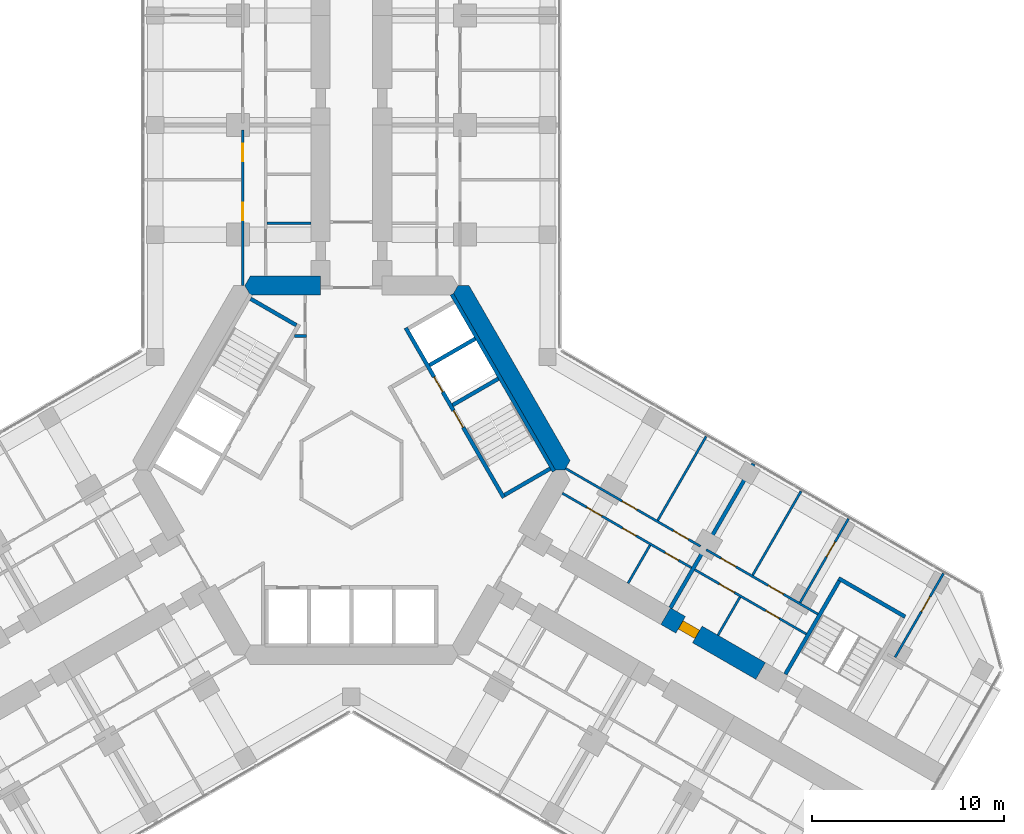
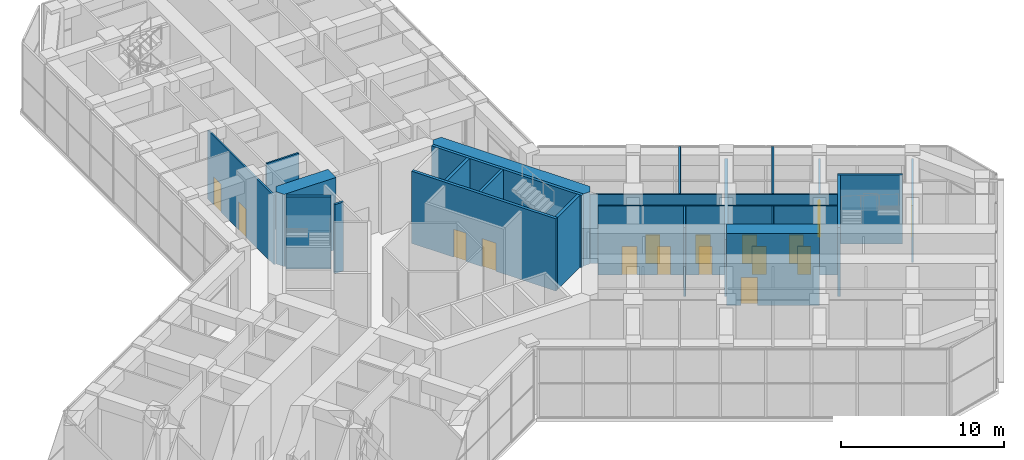
# One storey, part 18 of 23: 25 walls, 16 doors, 16 openings.
"""IFC4 building model written with IfcOpenShell, lengths in metres."""

from ifc_helpers import new_model, si_unit, direction, frame, frame_2d, origin, place, context, subcontext, project, spatial, polyline, rectangle, outline, extrude, material, layer, layer_set, type_object, element, fill, save


model = new_model("IFC4")

# Units and contexts
model_context = context("Model", 3, precision=1e-05, world=origin(), true_north=direction((0.0, 1.0)))
body_context = subcontext(model_context, "Body", "Model", "MODEL_VIEW")
ifc_project = project(units=[si_unit("LENGTHUNIT", "METRE"), si_unit("AREAUNIT", "SQUARE_METRE"), si_unit("VOLUMEUNIT", "CUBIC_METRE"), si_unit("PLANEANGLEUNIT", "RADIAN"), si_unit("MASSUNIT", "GRAM", prefix="KILO")], contexts=[model_context])

# Site, building, storey
site_placement = place(None, origin())
site = spatial("IfcSite", under=ifc_project, at=site_placement, CompositionType="ELEMENT")
building_placement = place(site_placement, origin())
building = spatial("IfcBuilding", under=site, at=building_placement, Name="Kosmar Iwan School Tower", CompositionType="ELEMENT")
storey_placement = place(building_placement, frame((0.0, 0.0, 75.39990234375)))
storey = spatial("IfcBuildingStorey", under=building, at=storey_placement, Name="L18", CompositionType="ELEMENT", Elevation=75.39990234375)

# Walls
ifc_material_1 = material(Name="Gypsum board on steel studs, fire-rated", Category="steel")
ifc_layer_1 = layer(ifc_material_1, 0.14990234375)
ifc_layer_set_1 = layer_set([ifc_layer_1], Name="Core room partition 150")
wall_type_1 = type_object("IfcWallType", Name="Core room partition 150", PredefinedType="PARTITIONING", material=ifc_layer_set_1)
wall_1_placement = place(storey_placement, frame((-2.324951171875, 6.985107421875, 0.0), z_axis=(0.0, 0.0, 1.0), x_axis=(-1.0, 0.0, 0.0)))
element("IfcWall", 1, at=wall_1_placement, inside=storey, type_object=wall_type_1, Name="Core room partition L18-CW2", PredefinedType="PARTITIONING", context=body_context, shape_type="SweptSolid", body=[
    extrude(rectangle(XDim=0.623779296875, YDim=0.14990234375, at=frame_2d((0.31201171875, 0.0))), origin(), (0.0, 0.0, 1.0), 5.150146484375),
])
ifc_material_2 = material(Name="Concrete C50/60", Category="concrete")
ifc_layer_2 = layer(ifc_material_2, 1.0)
ifc_layer_set_2 = layer_set([ifc_layer_2], Name="Core wall 1000")
wall_type_2 = type_object("IfcWallType", Name="Core wall 1000", PredefinedType="SHEAR", material=ifc_layer_set_2)
wall_2_placement = place(storey_placement, origin())
element("IfcWall", 2, at=wall_2_placement, inside=storey, type_object=wall_type_2, Name="Core wall F030", PredefinedType="SHEAR", context=body_context, shape_type="SweptSolid", body=[
    extrude(outline(polyline([(10.5078125, 0.0), (11.085205078125, 0.0), (11.373779296875, 0.5), (6.119873046875, 9.60009765625), (5.54248046875, 9.60009765625), (5.25390625, 9.10009765625), (10.5078125, 0.0)])), origin(), (0.0, 0.0, 1.0), 5.400146484375),
])
wall_3_placement = place(storey_placement, origin())
element("IfcWall", 3, at=wall_3_placement, inside=storey, type_object=wall_type_2, Name="Core wall F090b", PredefinedType="SHEAR", context=body_context, shape_type="SweptSolid", body=[
    extrude(outline(polyline([(-5.25390625, 9.10009765625), (-1.60009765625, 9.10009765625), (-1.60009765625, 10.10009765625), (-5.25390625, 10.10009765625), (-5.54248046875, 9.60009765625), (-5.25390625, 9.10009765625)])), origin(), (0.0, 0.0, 1.0), 5.400146484375),
])

# Wall, opening, door
ifc_material_3 = material(Name="Concrete C50/60", Category="concrete")
ifc_layer_3 = layer(ifc_material_3, 1.0)
ifc_layer_set_3 = layer_set([ifc_layer_3], Name="Corridor buttress wall 1000")
wall_type_3 = type_object("IfcWallType", Name="Corridor buttress wall 1000", PredefinedType="SHEAR", material=ifc_layer_set_3)
wall_4_placement = place(storey_placement, frame((16.34521484375, -7.58935546875, 0.0), z_axis=(0.0, 0.0, 1.0), x_axis=(0.866015111908, -0.50001782563, 0.0)))
wall_4 = element("IfcWall", 4, at=wall_4_placement, inside=storey, type_object=wall_type_3, Name="Corridor wall CL bay 2", PredefinedType="SHEAR", context=body_context, shape_type="SweptSolid", body=[
    extrude(rectangle(XDim=5.699951171875, YDim=1.0, at=frame_2d((2.85009765625, 0.0))), origin(), (0.0, 0.0, 1.0), 5.400146484375),
])
opening_1_placement = place(wall_4_placement, frame((0.89990234375, 0.0, 0.0)))
opening_1 = element("IfcOpeningElement", 5, at=opening_1_placement, cuts=wall_4, Name="Opening D1", PredefinedType="OPENING", context=body_context, shape_type="SweptSolid", body=[
    extrude(rectangle(XDim=1.0, YDim=2.10009765625, at=frame_2d((0.5, 1.050048828125))), frame((0.0, 0.511962890625, 0.0), z_axis=(0.0, -1.0, 0.0), x_axis=(1.0, 0.0, 0.0)), (0.0, 0.0, 1.0), 1.02392578125),
])
ifc_material_4 = material(Name="Timber fire door in steel frame", Category="steel")
door_type_1 = type_object("IfcDoorType", Name="Flat entrance door 1000x2100", OperationType="SINGLE_SWING_LEFT", PredefinedType="DOOR", material=ifc_material_4)
door_1_placement = place(opening_1_placement, origin())
door_1 = element("IfcDoor", 6, at=door_1_placement, inside=storey, type_object=door_type_1, Name="Flat L18-CL2 entrance door", OperationType="SINGLE_SWING_LEFT", OverallHeight=2.10009765625, OverallWidth=1.0, PredefinedType="DOOR", context=body_context, shape_type="SweptSolid", body=[
    extrude(rectangle(XDim=1.0, YDim=2.10009765625, at=frame_2d((0.5, 1.050048828125))), frame((0.0, 0.25, 0.0), z_axis=(0.0, -1.0, 0.0), x_axis=(1.0, 0.0, 0.0)), (0.0, 0.0, 1.0), 0.5),
])
fill(opening_1, door_1)

# Wall, openings, doors
ifc_material_5 = material(Name="Gypsum board on steel studs", Category="steel")
ifc_layer_4 = layer(ifc_material_5, 0.1201171875)
ifc_layer_set_4 = layer_set([ifc_layer_4], Name="Dwelling partition 120")
wall_type_4 = type_object("IfcWallType", Name="Dwelling partition 120", PredefinedType="PARTITIONING", material=ifc_layer_set_4)
wall_5_placement = place(storey_placement, frame((-5.64990234375, 9.60009765625, 0.0), z_axis=(0.0, 0.0, 1.0), x_axis=(0.0, 1.0, 0.0)))
wall_5 = element("IfcWall", 7, at=wall_5_placement, inside=storey, type_object=wall_type_4, Name="Partition L18-AL1-W2", PredefinedType="PARTITIONING", context=body_context, shape_type="SweptSolid", body=[
    extrude(rectangle(XDim=8.099853515625, YDim=0.1201171875, at=frame_2d((4.0498046875, 0.0))), origin(), (0.0, 0.0, 1.0), 5.150146484375),
])
opening_2_placement = place(wall_5_placement, frame((3.39990234375, 0.0, 0.0)))
opening_2 = element("IfcOpeningElement", 8, at=opening_2_placement, cuts=wall_5, Name="Opening D2", PredefinedType="OPENING", context=body_context, shape_type="SweptSolid", body=[
    extrude(rectangle(XDim=0.89990234375, YDim=2.10009765625, at=frame_2d((0.449951171875, 1.050048828125))), frame((0.0, 0.072021484375, 0.0), z_axis=(0.0, -1.0, 0.0), x_axis=(1.0, 0.0, 0.0)), (0.0, 0.0, 1.0), 0.14404296875),
])
opening_3_placement = place(wall_5_placement, frame((6.47509765625, 0.0, 0.0)))
opening_3 = element("IfcOpeningElement", 9, at=opening_3_placement, cuts=wall_5, Name="Opening D2", PredefinedType="OPENING", context=body_context, shape_type="SweptSolid", body=[
    extrude(rectangle(XDim=0.89990234375, YDim=2.10009765625, at=frame_2d((0.449951171875, 1.050048828125))), frame((0.0, 0.072021484375, 0.0), z_axis=(0.0, -1.0, 0.0), x_axis=(1.0, 0.0, 0.0)), (0.0, 0.0, 1.0), 0.14404296875),
])
ifc_material_6 = material(Name="Timber door in timber frame", Category="wood")
door_type_2 = type_object("IfcDoorType", Name="Internal door 900x2100", OperationType="SINGLE_SWING_LEFT", PredefinedType="DOOR", material=ifc_material_6)
door_2_placement = place(opening_2_placement, origin())
door_2 = element("IfcDoor", 10, at=door_2_placement, inside=storey, type_object=door_type_2, Name="Living room and kitchen door L18-AL1-F1", OperationType="SINGLE_SWING_RIGHT", OverallHeight=2.10009765625, OverallWidth=0.89990234375, PredefinedType="DOOR", context=body_context, shape_type="SweptSolid", body=[
    extrude(rectangle(XDim=0.89990234375, YDim=2.10009765625, at=frame_2d((0.449951171875, 1.050048828125))), frame((0.0, 0.02490234375, 0.0), z_axis=(0.0, -1.0, 0.0), x_axis=(1.0, 0.0, 0.0)), (0.0, 0.0, 1.0), 0.050048828125),
])
fill(opening_2, door_2)
door_3_placement = place(opening_3_placement, origin())
door_3 = element("IfcDoor", 11, at=door_3_placement, inside=storey, type_object=door_type_2, Name="Bedroom 1 door L18-AL1-F2", OperationType="SINGLE_SWING_RIGHT", OverallHeight=2.10009765625, OverallWidth=0.89990234375, PredefinedType="DOOR", context=body_context, shape_type="SweptSolid", body=[
    extrude(rectangle(XDim=0.89990234375, YDim=2.10009765625, at=frame_2d((0.449951171875, 1.050048828125))), frame((0.0, 0.02490234375, 0.0), z_axis=(0.0, -1.0, 0.0), x_axis=(1.0, 0.0, 0.0)), (0.0, 0.0, 1.0), 0.050048828125),
])
fill(opening_3, door_3)

# Wall
wall_6_placement = place(storey_placement, frame((-2.10009765625, 12.85009765625, 0.0), z_axis=(0.0, 0.0, 1.0), x_axis=(-1.0, 0.0, 0.0)))
element("IfcWall", 12, at=wall_6_placement, inside=storey, type_object=wall_type_4, Name="Partition L18-AL1-Y1", PredefinedType="PARTITIONING", context=body_context, shape_type="SweptSolid", body=[
    extrude(rectangle(XDim=2.289794921875, YDim=0.1201171875, at=frame_2d((1.14501953125, 0.0))), origin(), (0.0, 0.0, 1.0), 5.150146484375),
])

# Wall, openings, doors
wall_7_placement = place(storey_placement, frame((10.971923828125, -1.1962890625, 0.0), z_axis=(0.0, 0.0, 1.0), x_axis=(0.866024534185, -0.500001506187, 0.0)))
wall_7 = element("IfcWall", 13, at=wall_7_placement, inside=storey, type_object=wall_type_4, Name="Partition L18-CL1-W1", PredefinedType="PARTITIONING", context=body_context, shape_type="SweptSolid", body=[
    extrude(rectangle(XDim=7.75, YDim=0.1201171875, at=frame_2d((3.875, 0.0))), origin(), (0.0, 0.0, 1.0), 5.150146484375),
])
opening_4_placement = place(wall_7_placement, frame((1.47509765625, 0.0, 0.0)))
opening_4 = element("IfcOpeningElement", 14, at=opening_4_placement, cuts=wall_7, Name="Opening D2", PredefinedType="OPENING", context=body_context, shape_type="SweptSolid", body=[
    extrude(rectangle(XDim=0.89990234375, YDim=2.10009765625, at=frame_2d((0.449951171875, 1.050048828125))), frame((0.0, 0.072021484375, 0.0), z_axis=(0.0, -1.0, 0.0), x_axis=(1.0, 0.0, 0.0)), (0.0, 0.0, 1.0), 0.14404296875),
])
opening_5_placement = place(wall_7_placement, frame((3.625, 0.0, 0.0)))
opening_5 = element("IfcOpeningElement", 15, at=opening_5_placement, cuts=wall_7, Name="Opening D3", PredefinedType="OPENING", context=body_context, shape_type="SweptSolid", body=[
    extrude(rectangle(XDim=0.800048828125, YDim=2.10009765625, at=frame_2d((0.39990234375, 1.050048828125))), frame((0.0, 0.072021484375, 0.0), z_axis=(0.0, -1.0, 0.0), x_axis=(1.0, 0.0, 0.0)), (0.0, 0.0, 1.0), 0.14404296875),
])
opening_6_placement = place(wall_7_placement, frame((6.175048828125, 0.0, 0.0)))
opening_6 = element("IfcOpeningElement", 16, at=opening_6_placement, cuts=wall_7, Name="Opening D3", PredefinedType="OPENING", context=body_context, shape_type="SweptSolid", body=[
    extrude(rectangle(XDim=0.800048828125, YDim=2.10009765625, at=frame_2d((0.39990234375, 1.050048828125))), frame((0.0, 0.072021484375, 0.0), z_axis=(0.0, -1.0, 0.0), x_axis=(1.0, 0.0, 0.0)), (0.0, 0.0, 1.0), 0.14404296875),
])
door_4_placement = place(opening_4_placement, frame((0.89990234375, 0.0, 0.0), z_axis=(0.0, 0.0, 1.0), x_axis=(-1.0, 0.0, 0.0)))
door_4 = element("IfcDoor", 17, at=door_4_placement, inside=storey, type_object=door_type_2, Name="Entrance hall door L18-CL1-S1", OperationType="SINGLE_SWING_RIGHT", OverallHeight=2.10009765625, OverallWidth=0.89990234375, PredefinedType="DOOR", context=body_context, shape_type="SweptSolid", body=[
    extrude(rectangle(XDim=0.89990234375, YDim=2.10009765625, at=frame_2d((0.449951171875, 1.050048828125))), frame((0.0, 0.02490234375, 0.0), z_axis=(0.0, -1.0, 0.0), x_axis=(1.0, 0.0, 0.0)), (0.0, 0.0, 1.0), 0.050048828125),
])
fill(opening_4, door_4)
ifc_material_7 = material(Name="Timber door in timber frame", Category="wood")
door_type_3 = type_object("IfcDoorType", Name="Sanitary room door 800x2100", OperationType="SINGLE_SWING_LEFT", PredefinedType="DOOR", material=ifc_material_7)
door_5_placement = place(opening_5_placement, origin())
door_5 = element("IfcDoor", 18, at=door_5_placement, inside=storey, type_object=door_type_3, Name="Bathroom door L18-CL1-S2", OperationType="SINGLE_SWING_RIGHT", OverallHeight=2.10009765625, OverallWidth=0.800048828125, PredefinedType="DOOR", context=body_context, shape_type="SweptSolid", body=[
    extrude(rectangle(XDim=0.800048828125, YDim=2.10009765625, at=frame_2d((0.39990234375, 1.050048828125))), frame((0.0, 0.02490234375, 0.0), z_axis=(0.0, -1.0, 0.0), x_axis=(1.0, 0.0, 0.0)), (0.0, 0.0, 1.0), 0.050048828125),
])
fill(opening_5, door_5)
door_6_placement = place(opening_6_placement, origin())
door_6 = element("IfcDoor", 19, at=door_6_placement, inside=storey, type_object=door_type_3, Name="Store door L18-CL1-S3", OperationType="SINGLE_SWING_RIGHT", OverallHeight=2.10009765625, OverallWidth=0.800048828125, PredefinedType="DOOR", context=body_context, shape_type="SweptSolid", body=[
    extrude(rectangle(XDim=0.800048828125, YDim=2.10009765625, at=frame_2d((0.39990234375, 1.050048828125))), frame((0.0, 0.02490234375, 0.0), z_axis=(0.0, -1.0, 0.0), x_axis=(1.0, 0.0, 0.0)), (0.0, 0.0, 1.0), 0.050048828125),
])
fill(opening_6, door_6)

wall_8_placement = place(storey_placement, frame((11.138916015625, 0.093017578125, 0.0), z_axis=(0.0, 0.0, 1.0), x_axis=(0.866017937352, -0.500012932018, 0.0)))
wall_8 = element("IfcWall", 20, at=wall_8_placement, inside=storey, type_object=wall_type_4, Name="Partition L18-CL1-W2", PredefinedType="PARTITIONING", context=body_context, shape_type="SweptSolid", body=[
    extrude(rectangle(XDim=8.099853515625, YDim=0.1201171875, at=frame_2d((4.0498046875, 0.0))), origin(), (0.0, 0.0, 1.0), 5.150146484375),
])
opening_7_placement = place(wall_8_placement, frame((3.39990234375, 0.0, 0.0)))
opening_7 = element("IfcOpeningElement", 21, at=opening_7_placement, cuts=wall_8, Name="Opening D2", PredefinedType="OPENING", context=body_context, shape_type="SweptSolid", body=[
    extrude(rectangle(XDim=0.89990234375, YDim=2.10009765625, at=frame_2d((0.449951171875, 1.050048828125))), frame((0.0, 0.072021484375, 0.0), z_axis=(0.0, -1.0, 0.0), x_axis=(1.0, 0.0, 0.0)), (0.0, 0.0, 1.0), 0.14404296875),
])
opening_8_placement = place(wall_8_placement, frame((6.47509765625, 0.0, 0.0)))
opening_8 = element("IfcOpeningElement", 22, at=opening_8_placement, cuts=wall_8, Name="Opening D2", PredefinedType="OPENING", context=body_context, shape_type="SweptSolid", body=[
    extrude(rectangle(XDim=0.89990234375, YDim=2.10009765625, at=frame_2d((0.449951171875, 1.050048828125))), frame((0.0, 0.072021484375, 0.0), z_axis=(0.0, -1.0, 0.0), x_axis=(1.0, 0.0, 0.0)), (0.0, 0.0, 1.0), 0.14404296875),
])
door_7_placement = place(opening_7_placement, origin())
door_7 = element("IfcDoor", 23, at=door_7_placement, inside=storey, type_object=door_type_2, Name="Living room and kitchen door L18-CL1-F1", OperationType="SINGLE_SWING_RIGHT", OverallHeight=2.10009765625, OverallWidth=0.89990234375, PredefinedType="DOOR", context=body_context, shape_type="SweptSolid", body=[
    extrude(rectangle(XDim=0.89990234375, YDim=2.10009765625, at=frame_2d((0.449951171875, 1.050048828125))), frame((0.0, 0.02490234375, 0.0), z_axis=(0.0, -1.0, 0.0), x_axis=(1.0, 0.0, 0.0)), (0.0, 0.0, 1.0), 0.050048828125),
])
fill(opening_7, door_7)
door_8_placement = place(opening_8_placement, origin())
door_8 = element("IfcDoor", 24, at=door_8_placement, inside=storey, type_object=door_type_2, Name="Bedroom 1 door L18-CL1-F2", OperationType="SINGLE_SWING_RIGHT", OverallHeight=2.10009765625, OverallWidth=0.89990234375, PredefinedType="DOOR", context=body_context, shape_type="SweptSolid", body=[
    extrude(rectangle(XDim=0.89990234375, YDim=2.10009765625, at=frame_2d((0.449951171875, 1.050048828125))), frame((0.0, 0.02490234375, 0.0), z_axis=(0.0, -1.0, 0.0), x_axis=(1.0, 0.0, 0.0)), (0.0, 0.0, 1.0), 0.050048828125),
])
fill(opening_8, door_8)

# Walls
wall_9_placement = place(storey_placement, frame((15.931884765625, -2.60498046875, 0.0), z_axis=(0.0, 0.0, 1.0), x_axis=(0.500019063067, 0.866014397438, 0.0)))
element("IfcWall", 25, at=wall_9_placement, inside=storey, type_object=wall_type_4, Name="Partition L18-CL1-X1", PredefinedType="PARTITIONING", context=body_context, shape_type="SweptSolid", body=[
    extrude(rectangle(XDim=5.034912109375, YDim=0.1201171875, at=frame_2d((2.517578125, 0.0))), origin(), (0.0, 0.0, 1.0), 5.150146484375),
])
wall_10_placement = place(storey_placement, frame((14.38671875, -5.88134765625, 0.0), z_axis=(0.0, 0.0, 1.0), x_axis=(0.500014693593, 0.866016920268, 0.0)))
element("IfcWall", 26, at=wall_10_placement, inside=storey, type_object=wall_type_4, Name="Partition L18-CL1-Y2", PredefinedType="PARTITIONING", context=body_context, shape_type="SweptSolid", body=[
    extrude(rectangle(XDim=2.2900390625, YDim=0.1201171875, at=frame_2d((1.14501953125, 0.0))), origin(), (0.0, 0.0, 1.0), 5.150146484375),
])

# Wall, openings, doors
wall_11_placement = place(storey_placement, frame((17.856689453125, -5.171142578125, 0.0), z_axis=(0.0, 0.0, 1.0), x_axis=(0.866023571113, -0.500003174267, 0.0)))
wall_11 = element("IfcWall", 27, at=wall_11_placement, inside=storey, type_object=wall_type_4, Name="Partition L18-CL2-W1", PredefinedType="PARTITIONING", context=body_context, shape_type="SweptSolid", body=[
    extrude(rectangle(XDim=6.7001953125, YDim=0.1201171875, at=frame_2d((3.35009765625, 0.0))), origin(), (0.0, 0.0, 1.0), 5.150146484375),
])
opening_9_placement = place(wall_11_placement, frame((1.47509765625, 0.0, 0.0)))
opening_9 = element("IfcOpeningElement", 28, at=opening_9_placement, cuts=wall_11, Name="Opening D2", PredefinedType="OPENING", context=body_context, shape_type="SweptSolid", body=[
    extrude(rectangle(XDim=0.89990234375, YDim=2.10009765625, at=frame_2d((0.449951171875, 1.050048828125))), frame((0.0, 0.072021484375, 0.0), z_axis=(0.0, -1.0, 0.0), x_axis=(1.0, 0.0, 0.0)), (0.0, 0.0, 1.0), 0.14404296875),
])
opening_10_placement = place(wall_11_placement, frame((4.27490234375, 0.0, 0.0)))
opening_10 = element("IfcOpeningElement", 29, at=opening_10_placement, cuts=wall_11, Name="Opening D3", PredefinedType="OPENING", context=body_context, shape_type="SweptSolid", body=[
    extrude(rectangle(XDim=0.800048828125, YDim=2.10009765625, at=frame_2d((0.39990234375, 1.050048828125))), frame((0.0, 0.072021484375, 0.0), z_axis=(0.0, -1.0, 0.0), x_axis=(1.0, 0.0, 0.0)), (0.0, 0.0, 1.0), 0.14404296875),
])
door_9_placement = place(opening_9_placement, origin())
door_9 = element("IfcDoor", 30, at=door_9_placement, inside=storey, type_object=door_type_2, Name="Entrance hall door L18-CL2-S1", OperationType="SINGLE_SWING_LEFT", OverallHeight=2.10009765625, OverallWidth=0.89990234375, PredefinedType="DOOR", context=body_context, shape_type="SweptSolid", body=[
    extrude(rectangle(XDim=0.89990234375, YDim=2.10009765625, at=frame_2d((0.449951171875, 1.050048828125))), frame((0.0, 0.02490234375, 0.0), z_axis=(0.0, -1.0, 0.0), x_axis=(1.0, 0.0, 0.0)), (0.0, 0.0, 1.0), 0.050048828125),
])
fill(opening_9, door_9)
door_10_placement = place(opening_10_placement, origin())
door_10 = element("IfcDoor", 31, at=door_10_placement, inside=storey, type_object=door_type_3, Name="Bathroom door L18-CL2-S2", OperationType="SINGLE_SWING_RIGHT", OverallHeight=2.10009765625, OverallWidth=0.800048828125, PredefinedType="DOOR", context=body_context, shape_type="SweptSolid", body=[
    extrude(rectangle(XDim=0.800048828125, YDim=2.10009765625, at=frame_2d((0.39990234375, 1.050048828125))), frame((0.0, 0.02490234375, 0.0), z_axis=(0.0, -1.0, 0.0), x_axis=(1.0, 0.0, 0.0)), (0.0, 0.0, 1.0), 0.050048828125),
])
fill(opening_10, door_10)

wall_12_placement = place(storey_placement, frame((18.456787109375, -4.1318359375, 0.0), z_axis=(0.0, 0.0, 1.0), x_axis=(0.866014461049, -0.500018952895, 0.0)))
wall_12 = element("IfcWall", 32, at=wall_12_placement, inside=storey, type_object=wall_type_4, Name="Partition L18-CL2-W2", PredefinedType="PARTITIONING", context=body_context, shape_type="SweptSolid", body=[
    extrude(rectangle(XDim=6.699951171875, YDim=0.1201171875, at=frame_2d((3.35009765625, 0.0))), origin(), (0.0, 0.0, 1.0), 5.150146484375),
])
opening_11_placement = place(wall_12_placement, frame((0.875, 0.0, 0.0)))
opening_11 = element("IfcOpeningElement", 33, at=opening_11_placement, cuts=wall_12, Name="Opening D2", PredefinedType="OPENING", context=body_context, shape_type="SweptSolid", body=[
    extrude(rectangle(XDim=0.89990234375, YDim=2.10009765625, at=frame_2d((0.449951171875, 1.050048828125))), frame((0.0, 0.072021484375, 0.0), z_axis=(0.0, -1.0, 0.0), x_axis=(1.0, 0.0, 0.0)), (0.0, 0.0, 1.0), 0.14404296875),
])
opening_12_placement = place(wall_12_placement, frame((3.72509765625, 0.0, 0.0)))
opening_12 = element("IfcOpeningElement", 34, at=opening_12_placement, cuts=wall_12, Name="Opening D2", PredefinedType="OPENING", context=body_context, shape_type="SweptSolid", body=[
    extrude(rectangle(XDim=0.89990234375, YDim=2.10009765625, at=frame_2d((0.449951171875, 1.050048828125))), frame((0.0, 0.072021484375, 0.0), z_axis=(0.0, -1.0, 0.0), x_axis=(1.0, 0.0, 0.0)), (0.0, 0.0, 1.0), 0.14404296875),
])
door_11_placement = place(opening_11_placement, origin())
door_11 = element("IfcDoor", 35, at=door_11_placement, inside=storey, type_object=door_type_2, Name="Bedroom 1 door L18-CL2-F1", OperationType="SINGLE_SWING_RIGHT", OverallHeight=2.10009765625, OverallWidth=0.89990234375, PredefinedType="DOOR", context=body_context, shape_type="SweptSolid", body=[
    extrude(rectangle(XDim=0.89990234375, YDim=2.10009765625, at=frame_2d((0.449951171875, 1.050048828125))), frame((0.0, 0.02490234375, 0.0), z_axis=(0.0, -1.0, 0.0), x_axis=(1.0, 0.0, 0.0)), (0.0, 0.0, 1.0), 0.050048828125),
])
fill(opening_11, door_11)
door_12_placement = place(opening_12_placement, origin())
door_12 = element("IfcDoor", 36, at=door_12_placement, inside=storey, type_object=door_type_2, Name="Bedroom 2 door L18-CL2-F2", OperationType="SINGLE_SWING_LEFT", OverallHeight=2.10009765625, OverallWidth=0.89990234375, PredefinedType="DOOR", context=body_context, shape_type="SweptSolid", body=[
    extrude(rectangle(XDim=0.89990234375, YDim=2.10009765625, at=frame_2d((0.449951171875, 1.050048828125))), frame((0.0, 0.02490234375, 0.0), z_axis=(0.0, -1.0, 0.0), x_axis=(1.0, 0.0, 0.0)), (0.0, 0.0, 1.0), 0.050048828125),
])
fill(opening_12, door_12)

# Walls
wall_13_placement = place(storey_placement, frame((20.868408203125, -5.455078125, 0.0), z_axis=(0.0, 0.0, 1.0), x_axis=(0.499961700219, 0.866047515044, 0.0)))
element("IfcWall", 37, at=wall_13_placement, inside=storey, type_object=wall_type_4, Name="Partition L18-CL2-X1", PredefinedType="PARTITIONING", context=body_context, shape_type="SweptSolid", body=[
    extrude(rectangle(XDim=5.03515625, YDim=0.1201171875, at=frame_2d((2.517578125, 0.0))), origin(), (0.0, 0.0, 1.0), 5.150146484375),
])
wall_14_placement = place(storey_placement, frame((19.063232421875, -8.581298828125, 0.0), z_axis=(0.0, 0.0, 1.0), x_axis=(0.500014693593, 0.866016920268, 0.0)))
element("IfcWall", 38, at=wall_14_placement, inside=storey, type_object=wall_type_4, Name="Partition L18-CL2-Y1", PredefinedType="PARTITIONING", context=body_context, shape_type="SweptSolid", body=[
    extrude(rectangle(XDim=2.2900390625, YDim=0.1201171875, at=frame_2d((1.14501953125, 0.0))), origin(), (0.0, 0.0, 1.0), 5.150146484375),
])

# Wall, opening, door
wall_15_placement = place(storey_placement, frame((23.33642578125, -6.8798828125, 0.0), z_axis=(0.0, 0.0, 1.0), x_axis=(0.500019063067, 0.866014397438, 0.0)))
wall_15 = element("IfcWall", 39, at=wall_15_placement, inside=storey, type_object=wall_type_4, Name="Partition L18-CL2-TB", PredefinedType="PARTITIONING", context=body_context, shape_type="SweptSolid", body=[
    extrude(rectangle(XDim=5.034912109375, YDim=0.1201171875, at=frame_2d((2.517578125, 0.0))), origin(), (0.0, 0.0, 1.0), 4.25),
])
opening_13_placement = place(wall_15_placement, frame((2.739990234375, 0.0, 0.0)))
opening_13 = element("IfcOpeningElement", 40, at=opening_13_placement, cuts=wall_15, Name="Opening D2", PredefinedType="OPENING", context=body_context, shape_type="SweptSolid", body=[
    extrude(rectangle(XDim=0.89990234375, YDim=2.10009765625, at=frame_2d((0.449951171875, 1.050048828125))), frame((0.0, 0.072021484375, 0.0), z_axis=(0.0, -1.0, 0.0), x_axis=(1.0, 0.0, 0.0)), (0.0, 0.0, 1.0), 0.14404296875),
])
door_13_placement = place(opening_13_placement, origin())
door_13 = element("IfcDoor", 41, at=door_13_placement, inside=storey, type_object=door_type_2, Name="Bedroom 2 door L18-CL2-F2", OperationType="SINGLE_SWING_RIGHT", OverallHeight=2.10009765625, OverallWidth=0.89990234375, PredefinedType="DOOR", context=body_context, shape_type="SweptSolid", body=[
    extrude(rectangle(XDim=0.89990234375, YDim=2.10009765625, at=frame_2d((0.449951171875, 1.050048828125))), frame((0.0, 0.02490234375, 0.0), z_axis=(0.0, -1.0, 0.0), x_axis=(1.0, 0.0, 0.0)), (0.0, 0.0, 1.0), 0.050048828125),
])
fill(opening_13, door_13)

wall_16_placement = place(storey_placement, frame((28.27294921875, -9.72998046875, 0.0), z_axis=(0.0, 0.0, 1.0), x_axis=(0.499982695883, 0.866035394091, 0.0)))
wall_16 = element("IfcWall", 42, at=wall_16_placement, inside=storey, type_object=wall_type_4, Name="Partition L18-CL2-TX", PredefinedType="PARTITIONING", context=body_context, shape_type="SweptSolid", body=[
    extrude(rectangle(XDim=5.034912109375, YDim=0.1201171875, at=frame_2d((2.517578125, 0.0))), origin(), (0.0, 0.0, 1.0), 4.25),
])
opening_14_placement = place(wall_16_placement, frame((2.739990234375, 0.0, 0.0)))
opening_14 = element("IfcOpeningElement", 43, at=opening_14_placement, cuts=wall_16, Name="Opening D2", PredefinedType="OPENING", context=body_context, shape_type="SweptSolid", body=[
    extrude(rectangle(XDim=0.89990234375, YDim=2.10009765625, at=frame_2d((0.449951171875, 1.050048828125))), frame((0.0, 0.072021484375, 0.0), z_axis=(0.0, -1.0, 0.0), x_axis=(1.0, 0.0, 0.0)), (0.0, 0.0, 1.0), 0.14404296875),
])
door_14_placement = place(opening_14_placement, origin())
door_14 = element("IfcDoor", 44, at=door_14_placement, inside=storey, type_object=door_type_2, Name="Bedroom 2 door L18-CL2-T1", OperationType="SINGLE_SWING_RIGHT", OverallHeight=2.10009765625, OverallWidth=0.89990234375, PredefinedType="DOOR", context=body_context, shape_type="SweptSolid", body=[
    extrude(rectangle(XDim=0.89990234375, YDim=2.10009765625, at=frame_2d((0.449951171875, 1.050048828125))), frame((0.0, 0.02490234375, 0.0), z_axis=(0.0, -1.0, 0.0), x_axis=(1.0, 0.0, 0.0)), (0.0, 0.0, 1.0), 0.050048828125),
])
fill(opening_14, door_14)

# Walls
ifc_material_8 = material(Name="Concrete C35/45", Category="concrete")
ifc_layer_5 = layer(ifc_material_8, 0.199951171875)
ifc_layer_set_5 = layer_set([ifc_layer_5], Name="Escape stair wall 200")
wall_type_5 = type_object("IfcWallType", Name="Escape stair wall 200", PredefinedType="SHEAR", material=ifc_layer_set_5)
wall_17_placement = place(storey_placement, frame((22.57080078125, -10.6064453125, 0.0), z_axis=(0.0, 0.0, 1.0), x_axis=(0.499987231761, 0.866032775405, 0.0)))
element("IfcWall", 45, at=wall_17_placement, inside=storey, type_object=wall_type_5, Name="Stair WS3 wall", PredefinedType="SHEAR", context=body_context, shape_type="SweptSolid", body=[
    extrude(rectangle(XDim=5.800048828125, YDim=0.199951171875, at=frame_2d((2.89990234375, 0.0))), origin(), (0.0, 0.0, 1.0), 5.130126953125),
])
wall_18_placement = place(storey_placement, frame((25.334228515625, -5.6201171875, 0.0), z_axis=(0.0, 0.0, 1.0), x_axis=(0.866026010844, -0.49999894854, 0.0)))
element("IfcWall", 46, at=wall_18_placement, inside=storey, type_object=wall_type_5, Name="Stair WS3 wall", PredefinedType="SHEAR", context=body_context, shape_type="SweptSolid", body=[
    extrude(rectangle(XDim=4.0, YDim=0.199951171875, at=frame_2d((2.0, 0.0))), origin(), (0.0, 0.0, 1.0), 5.130126953125),
])

# Wall, openings, doors
ifc_material_9 = material(Name="Concrete C50/60", Category="concrete")
ifc_layer_6 = layer(ifc_material_9, 0.199951171875)
ifc_layer_set_6 = layer_set([ifc_layer_6], Name="Lift shaft wall 200")
wall_type_6 = type_object("IfcWallType", Name="Lift shaft wall 200", PredefinedType="SHEAR", material=ifc_layer_set_6)
wall_19_placement = place(storey_placement, frame((7.926025390625, -1.42822265625, 0.0), z_axis=(0.0, 0.0, 1.0), x_axis=(-0.499998023675, 0.866026544813, 0.0)))
wall_19 = element("IfcWall", 47, at=wall_19_placement, inside=storey, type_object=wall_type_6, Name="Lift and stair front wall AC", PredefinedType="SHEAR", context=body_context, shape_type="SweptSolid", body=[
    extrude(rectangle(XDim=10.19970703125, YDim=0.199951171875, at=frame_2d((5.099853515625, 0.0))), origin(), (0.0, 0.0, 1.0), 5.400146484375),
])
opening_15_placement = place(wall_19_placement, frame((6.35009765625, 0.0, 0.0)))
opening_15 = element("IfcOpeningElement", 48, at=opening_15_placement, cuts=wall_19, Name="Opening LD2", PredefinedType="OPENING", context=body_context, shape_type="SweptSolid", body=[
    extrude(rectangle(XDim=0.89990234375, YDim=2.10009765625, at=frame_2d((0.449951171875, 1.050048828125))), frame((0.0, 0.112060546875, 0.0), z_axis=(0.0, -1.0, 0.0), x_axis=(1.0, 0.0, 0.0)), (0.0, 0.0, 1.0), 0.223876953125),
])
opening_16_placement = place(wall_19_placement, frame((4.22998046875, 0.0, 0.0)))
opening_16 = element("IfcOpeningElement", 49, at=opening_16_placement, cuts=wall_19, Name="Opening D6", PredefinedType="OPENING", context=body_context, shape_type="SweptSolid", body=[
    extrude(rectangle(XDim=1.0, YDim=2.10009765625, at=frame_2d((0.5, 1.050048828125))), frame((0.0, 0.112060546875, 0.0), z_axis=(0.0, -1.0, 0.0), x_axis=(1.0, 0.0, 0.0)), (0.0, 0.0, 1.0), 0.223876953125),
])
ifc_material_10 = material(Name="Stainless steel sliding lift door", Category="steel")
door_type_4 = type_object("IfcDoorType", Name="Firefighting lift landing door 900x2100", OperationType="SLIDING_TO_LEFT", PredefinedType="DOOR", material=ifc_material_10)
door_15_placement = place(opening_15_placement, origin())
door_15 = element("IfcDoor", 50, at=door_15_placement, inside=storey, type_object=door_type_4, Name="Lift FF1 landing door L18", OperationType="SLIDING_TO_LEFT", OverallHeight=2.10009765625, OverallWidth=0.89990234375, PredefinedType="DOOR", context=body_context, shape_type="SweptSolid", body=[
    extrude(rectangle(XDim=0.89990234375, YDim=2.10009765625, at=frame_2d((0.449951171875, 1.050048828125))), frame((0.0, 0.02490234375, 0.0), z_axis=(0.0, -1.0, 0.0), x_axis=(1.0, 0.0, 0.0)), (0.0, 0.0, 1.0), 0.050048828125),
])
fill(opening_15, door_15)
ifc_material_11 = material(Name="Steel fire door", Category="steel")
door_type_5 = type_object("IfcDoorType", Name="Stair door 1000x2100", OperationType="SINGLE_SWING_LEFT", PredefinedType="DOOR", material=ifc_material_11)
door_16_placement = place(opening_16_placement, origin())
door_16 = element("IfcDoor", 51, at=door_16_placement, inside=storey, type_object=door_type_5, Name="Stair ST1 door L18", OperationType="SINGLE_SWING_LEFT", OverallHeight=2.10009765625, OverallWidth=1.0, PredefinedType="DOOR", context=body_context, shape_type="SweptSolid", body=[
    extrude(rectangle(XDim=1.0, YDim=2.10009765625, at=frame_2d((0.5, 1.050048828125))), frame((0.0, 0.02490234375, 0.0), z_axis=(0.0, -1.0, 0.0), x_axis=(1.0, 0.0, 0.0)), (0.0, 0.0, 1.0), 0.050048828125),
])
fill(opening_16, door_16)

# Walls
wall_20_placement = place(storey_placement, frame((10.53662109375, -0.050048828125, 0.0), z_axis=(0.0, 0.0, 1.0), x_axis=(-0.499994998079, 0.866028291626, 0.0)))
element("IfcWall", 52, at=wall_20_placement, inside=storey, type_object=wall_type_6, Name="Lift and stair back wall AC", PredefinedType="SHEAR", context=body_context, shape_type="SweptSolid", body=[
    extrude(rectangle(XDim=10.623046875, YDim=0.199951171875, at=frame_2d((5.3115234375, 0.0))), origin(), (0.0, 0.0, 1.0), 5.400146484375),
])
wall_21_placement = place(storey_placement, frame((4.062744140625, 5.46337890625, 0.0), z_axis=(0.0, 0.0, 1.0), x_axis=(0.866027397988, 0.499996545922, 0.0)))
element("IfcWall", 53, at=wall_21_placement, inside=storey, type_object=wall_type_6, Name="Lift shaft wall AC 1", PredefinedType="SHEAR", context=body_context, shape_type="SweptSolid", body=[
    extrude(rectangle(XDim=2.75, YDim=0.199951171875, at=frame_2d((1.375, 0.0))), origin(), (0.0, 0.0, 1.0), 5.400146484375),
])
ifc_material_12 = material(Name="Concrete block masonry", Category="masonry")
ifc_layer_7 = layer(ifc_material_12, 0.199951171875)
ifc_layer_set_7 = layer_set([ifc_layer_7], Name="Party wall 200")
wall_type_7 = type_object("IfcWallType", Name="Party wall 200", PredefinedType="PARTITIONING", material=ifc_layer_set_7)
wall_22_placement = place(storey_placement, frame((16.59521484375, -7.15625, 0.0), z_axis=(0.0, 0.0, 1.0), x_axis=(0.499999505331, 0.866025689381, 0.0)))
element("IfcWall", 54, at=wall_22_placement, inside=storey, type_object=wall_type_7, Name="Partition L18-CL2-PW", PredefinedType="PARTITIONING", context=body_context, shape_type="SweptSolid", body=[
    extrude(rectangle(XDim=8.64501953125, YDim=0.199951171875, at=frame_2d((4.322509765625, 0.0))), origin(), (0.0, 0.0, 1.0), 4.25),
])
ifc_material_13 = material(Name="Concrete C50/60", Category="concrete")
ifc_layer_8 = layer(ifc_material_13, 0.199951171875)
ifc_layer_set_8 = layer_set([ifc_layer_8], Name="Stair enclosure wall 200")
wall_type_8 = type_object("IfcWallType", Name="Stair enclosure wall 200", PredefinedType="SHEAR", material=ifc_layer_set_8)
for number, where, z_axis, x_axis, name in (
    (55, (-2.862548828125, 7.541748046875, 0.0), (0.0, 0.0, 1.0), (-0.866027397988, 0.499996545922, 0.0), "Stair ST2 wall"),
    (56, (7.962646484375, -1.291748046875, 0.0), (0.0, 0.0, 1.0), (0.866027397988, 0.499996545922, 0.0), "Stair ST1 wall"),
    (57, (5.2626953125, 3.384765625, 0.0), (0.0, 0.0, 1.0), (0.866027397988, 0.499996545922, 0.0), "Stair ST1 wall"),
):
    element("IfcWall", number, at=place(storey_placement, frame(where, z_axis=z_axis, x_axis=x_axis)), inside=storey, type_object=wall_type_8, Name=name, PredefinedType="SHEAR", context=body_context, shape_type="SweptSolid", body=[
        extrude(rectangle(XDim=2.75, YDim=0.199951171875, at=frame_2d((1.375, 0.0))), origin(), (0.0, 0.0, 1.0), 5.400146484375),
    ])

save(model, "model.ifc")
